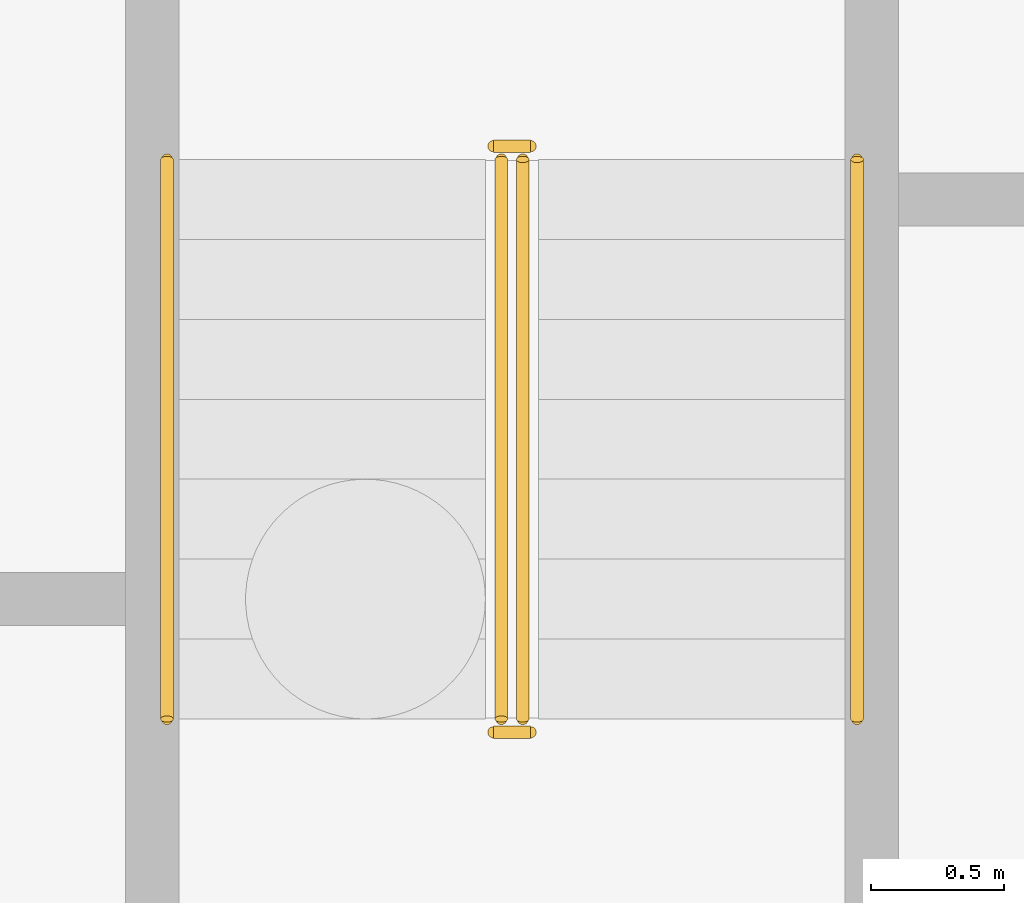
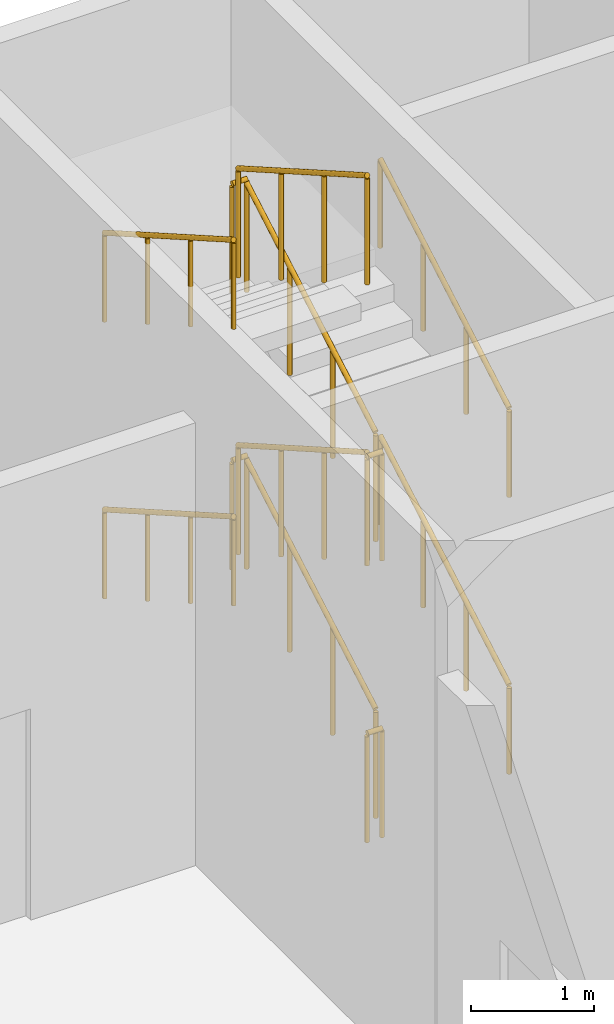
# One storey, part 74 of 82: 12 railings.
"""IFC4 building model written with IfcOpenShell, lengths in metres."""

from ifc_helpers import new_model, si_unit, direction, frame, origin, origin_2d, place, context, subcontext, project, spatial, circle, extrude, material, type_object, element, save


model = new_model("IFC4")

# Units and contexts
model_context = context("Model", 3, precision=1e-05, world=origin(), true_north=direction((0.0, 1.0)))
body_context = subcontext(model_context, "Body", "Model", "MODEL_VIEW")
ifc_project = project(units=[si_unit("LENGTHUNIT", "METRE"), si_unit("AREAUNIT", "SQUARE_METRE"), si_unit("VOLUMEUNIT", "CUBIC_METRE"), si_unit("PLANEANGLEUNIT", "RADIAN"), si_unit("MASSUNIT", "GRAM", prefix="KILO")], contexts=[model_context])

# Site, building, storey
site_placement = place(None, origin())
site = spatial("IfcSite", under=ifc_project, at=site_placement, CompositionType="ELEMENT")
building_placement = place(site_placement, origin())
building = spatial("IfcBuilding", under=site, at=building_placement, Name="Almond Square Museum", CompositionType="ELEMENT")
storey_placement = place(building_placement, origin())
storey = spatial("IfcBuildingStorey", under=building, at=storey_placement, Name="L00", CompositionType="ELEMENT", Elevation=0.0)

# Railings
ifc_material_1 = material(Name="Stainless steel and laminated glass", Category="steel")
railing_type_1 = type_object("IfcRailingType", Name="Stair guard 1100 steel and glass", PredefinedType="GUARDRAIL", material=ifc_material_1)
railing_1_placement = place(storey_placement, frame((125.090087890625, 104.550048828125, 0.171875)))
element("IfcRailing", 1, at=railing_1_placement, inside=storey, type_object=railing_type_1, Name="L00 ST-07 stair guard 1", PredefinedType="GUARDRAIL", context=body_context, shape_type="SweptSolid", body=[
    extrude(circle(Radius=0.02392578125, at=origin_2d()), frame((0.0, 0.0, 1.076171875), z_axis=(0.0, 0.867671429157, 0.497138100556), x_axis=(-1.0, 0.0, 0.0)), (0.0, 0.0, 1.0), 2.420166015625),
    extrude(circle(Radius=0.02099609375, at=origin_2d()), origin(), (0.0, 0.0, 1.0), 1.052001953125),
    extrude(circle(Radius=0.02099609375, at=origin_2d()), frame((0.0, 0.699951171875, 0.401123046875)), (0.0, 0.0, 1.0), 1.052001953125),
    extrude(circle(Radius=0.02099609375, at=origin_2d()), frame((0.0, 1.39990234375, 0.802001953125)), (0.0, 0.0, 1.0), 1.052001953125),
    extrude(circle(Radius=0.02099609375, at=origin_2d()), frame((0.0, 2.099853515625, 1.203125)), (0.0, 0.0, 1.0), 1.052001953125),
])
railing_2_placement = place(storey_placement, frame((125.1201171875, 106.699951171875, 1.375)))
element("IfcRailing", 2, at=railing_2_placement, inside=storey, type_object=railing_type_1, Name="L00 ST-07 stair guard 2", PredefinedType="GUARDRAIL", context=body_context, shape_type="SweptSolid", body=[
    extrude(circle(Radius=0.02392578125, at=origin_2d()), frame((0.0, 0.0, 1.076171875), z_axis=(-1.0, 0.0, 0.0), x_axis=(0.0, -1.0, 0.0)), (0.0, 0.0, 1.0), 0.14013671875),
    extrude(circle(Radius=0.02099609375, at=origin_2d()), origin(), (0.0, 0.0, 1.0), 1.052001953125),
    extrude(circle(Radius=0.02099609375, at=origin_2d()), frame((-0.14013671875, 0.0, 0.0)), (0.0, 0.0, 1.0), 1.052001953125),
])
railing_3_placement = place(storey_placement, frame((125.010009765625, 106.64990234375, 1.546875)))
element("IfcRailing", 3, at=railing_3_placement, inside=storey, type_object=railing_type_1, Name="L00 ST-07 stair guard 3", PredefinedType="GUARDRAIL", context=body_context, shape_type="SweptSolid", body=[
    extrude(circle(Radius=0.02392578125, at=origin_2d()), frame((0.0, 0.0, 1.076171875), z_axis=(0.0, -0.867671429157, 0.497138100556), x_axis=(1.0, 0.0, 0.0)), (0.0, 0.0, 1.0), 2.420166015625),
    extrude(circle(Radius=0.02099609375, at=origin_2d()), origin(), (0.0, 0.0, 1.0), 1.052001953125),
    extrude(circle(Radius=0.02099609375, at=origin_2d()), frame((0.0, -0.699951171875, 0.401123046875)), (0.0, 0.0, 1.0), 1.052001953125),
    extrude(circle(Radius=0.02099609375, at=origin_2d()), frame((0.0, -1.39990234375, 0.802001953125)), (0.0, 0.0, 1.0), 1.052001953125),
    extrude(circle(Radius=0.02099609375, at=origin_2d()), frame((0.0, -2.099853515625, 1.203125)), (0.0, 0.0, 1.0), 1.052001953125),
])
railing_4_placement = place(storey_placement, frame((125.1201171875, 104.5, 2.75)))
element("IfcRailing", 4, at=railing_4_placement, inside=storey, type_object=railing_type_1, Name="L00 ST-07 stair guard 4", PredefinedType="GUARDRAIL", context=body_context, shape_type="SweptSolid", body=[
    extrude(circle(Radius=0.02392578125, at=origin_2d()), frame((0.0, 0.0, 1.076171875), z_axis=(-1.0, 0.0, 0.0), x_axis=(0.0, -1.0, 0.0)), (0.0, 0.0, 1.0), 0.14013671875),
    extrude(circle(Radius=0.02099609375, at=origin_2d()), origin(), (0.0, 0.0, 1.0), 1.052001953125),
    extrude(circle(Radius=0.02099609375, at=origin_2d()), frame((-0.14013671875, 0.0, 0.0)), (0.0, 0.0, 1.0), 1.052001953125),
])
railing_5_placement = place(storey_placement, frame((125.090087890625, 104.550048828125, 2.921875)))
element("IfcRailing", 5, at=railing_5_placement, inside=storey, type_object=railing_type_1, Name="L00 ST-07 stair guard 5", PredefinedType="GUARDRAIL", context=body_context, shape_type="SweptSolid", body=[
    extrude(circle(Radius=0.02392578125, at=origin_2d()), frame((0.0, 0.0, 1.076171875), z_axis=(0.0, 0.867671429157, 0.497138100556), x_axis=(-1.0, 0.0, 0.0)), (0.0, 0.0, 1.0), 2.420166015625),
    extrude(circle(Radius=0.02099609375, at=origin_2d()), origin(), (0.0, 0.0, 1.0), 1.052001953125),
    extrude(circle(Radius=0.02099609375, at=origin_2d()), frame((0.0, 0.699951171875, 0.401123046875)), (0.0, 0.0, 1.0), 1.052001953125),
    extrude(circle(Radius=0.02099609375, at=origin_2d()), frame((0.0, 1.39990234375, 0.802001953125)), (0.0, 0.0, 1.0), 1.052001953125),
    extrude(circle(Radius=0.02099609375, at=origin_2d()), frame((0.0, 2.099853515625, 1.203125)), (0.0, 0.0, 1.0), 1.052001953125),
])
railing_6_placement = place(storey_placement, frame((125.1201171875, 106.699951171875, 4.125)))
element("IfcRailing", 6, at=railing_6_placement, inside=storey, type_object=railing_type_1, Name="L00 ST-07 stair guard 6", PredefinedType="GUARDRAIL", context=body_context, shape_type="SweptSolid", body=[
    extrude(circle(Radius=0.02392578125, at=origin_2d()), frame((0.0, 0.0, 1.076171875), z_axis=(-1.0, 0.0, 0.0), x_axis=(0.0, -1.0, 0.0)), (0.0, 0.0, 1.0), 0.14013671875),
    extrude(circle(Radius=0.02099609375, at=origin_2d()), origin(), (0.0, 0.0, 1.0), 1.052001953125),
    extrude(circle(Radius=0.02099609375, at=origin_2d()), frame((-0.14013671875, 0.0, 0.0)), (0.0, 0.0, 1.0), 1.052001953125),
])
railing_7_placement = place(storey_placement, frame((125.010009765625, 106.64990234375, 4.296875)))
element("IfcRailing", 7, at=railing_7_placement, inside=storey, type_object=railing_type_1, Name="L00 ST-07 stair guard 7", PredefinedType="GUARDRAIL", context=body_context, shape_type="SweptSolid", body=[
    extrude(circle(Radius=0.02392578125, at=origin_2d()), frame((0.0, 0.0, 1.076171875), z_axis=(0.0, -0.867671429157, 0.497138100556), x_axis=(1.0, 0.0, 0.0)), (0.0, 0.0, 1.0), 2.420166015625),
    extrude(circle(Radius=0.02099609375, at=origin_2d()), origin(), (0.0, 0.0, 1.0), 1.052001953125),
    extrude(circle(Radius=0.02099609375, at=origin_2d()), frame((0.0, -0.699951171875, 0.401123046875)), (0.0, 0.0, 1.0), 1.052001953125),
    extrude(circle(Radius=0.02099609375, at=origin_2d()), frame((0.0, -1.39990234375, 0.802001953125)), (0.0, 0.0, 1.0), 1.052001953125),
    extrude(circle(Radius=0.02099609375, at=origin_2d()), frame((0.0, -2.099853515625, 1.203125)), (0.0, 0.0, 1.0), 1.052001953125),
])
railing_8_placement = place(storey_placement, frame((125.1201171875, 104.5, 0.0)))
element("IfcRailing", 8, at=railing_8_placement, inside=storey, type_object=railing_type_1, Name="L00 ST-07 stair guard 8", PredefinedType="GUARDRAIL", context=body_context, shape_type="SweptSolid", body=[
    extrude(circle(Radius=0.02392578125, at=origin_2d()), frame((0.0, 0.0, 1.076171875), z_axis=(-1.0, 0.0, 0.0), x_axis=(0.0, -1.0, 0.0)), (0.0, 0.0, 1.0), 0.14013671875),
    extrude(circle(Radius=0.02099609375, at=origin_2d()), origin(), (0.0, 0.0, 1.0), 1.052001953125),
    extrude(circle(Radius=0.02099609375, at=origin_2d()), frame((-0.14013671875, 0.0, 0.0)), (0.0, 0.0, 1.0), 1.052001953125),
])
ifc_material_2 = material(Name="Stainless steel", Category="steel")
railing_type_2 = type_object("IfcRailingType", Name="Stair handrail 900 steel", PredefinedType="HANDRAIL", material=ifc_material_2)
railing_9_placement = place(storey_placement, frame((126.344970703125, 104.550048828125, 0.171875)))
element("IfcRailing", 9, at=railing_9_placement, inside=storey, type_object=railing_type_2, Name="L00 ST-07 stair handrail 1", PredefinedType="HANDRAIL", context=body_context, shape_type="SweptSolid", body=[
    extrude(circle(Radius=0.02392578125, at=origin_2d()), frame((0.0, 0.0, 0.8759765625), z_axis=(0.0, 0.867671429157, 0.497138100556), x_axis=(-1.0, 0.0, 0.0)), (0.0, 0.0, 1.0), 2.420166015625),
    extrude(circle(Radius=0.02099609375, at=origin_2d()), origin(), (0.0, 0.0, 1.0), 0.851806640625),
    extrude(circle(Radius=0.02099609375, at=origin_2d()), frame((0.0, 0.699951171875, 0.401123046875)), (0.0, 0.0, 1.0), 0.851806640625),
    extrude(circle(Radius=0.02099609375, at=origin_2d()), frame((0.0, 1.39990234375, 0.802001953125)), (0.0, 0.0, 1.0), 0.851806640625),
    extrude(circle(Radius=0.02099609375, at=origin_2d()), frame((0.0, 2.099853515625, 1.203125)), (0.0, 0.0, 1.0), 0.851806640625),
])
railing_10_placement = place(storey_placement, frame((123.7548828125, 106.64990234375, 1.546875)))
element("IfcRailing", 10, at=railing_10_placement, inside=storey, type_object=railing_type_2, Name="L00 ST-07 stair handrail 2", PredefinedType="HANDRAIL", context=body_context, shape_type="SweptSolid", body=[
    extrude(circle(Radius=0.02392578125, at=origin_2d()), frame((0.0, 0.0, 0.8759765625), z_axis=(0.0, -0.867671429157, 0.497138100556), x_axis=(1.0, 0.0, 0.0)), (0.0, 0.0, 1.0), 2.420166015625),
    extrude(circle(Radius=0.02099609375, at=origin_2d()), origin(), (0.0, 0.0, 1.0), 0.851806640625),
    extrude(circle(Radius=0.02099609375, at=origin_2d()), frame((0.0, -0.699951171875, 0.401123046875)), (0.0, 0.0, 1.0), 0.851806640625),
    extrude(circle(Radius=0.02099609375, at=origin_2d()), frame((0.0, -1.39990234375, 0.802001953125)), (0.0, 0.0, 1.0), 0.851806640625),
    extrude(circle(Radius=0.02099609375, at=origin_2d()), frame((0.0, -2.099853515625, 1.203125)), (0.0, 0.0, 1.0), 0.851806640625),
])
railing_11_placement = place(storey_placement, frame((126.344970703125, 104.550048828125, 2.921875)))
element("IfcRailing", 11, at=railing_11_placement, inside=storey, type_object=railing_type_2, Name="L00 ST-07 stair handrail 3", PredefinedType="HANDRAIL", context=body_context, shape_type="SweptSolid", body=[
    extrude(circle(Radius=0.02392578125, at=origin_2d()), frame((0.0, 0.0, 0.8759765625), z_axis=(0.0, 0.867671429157, 0.497138100556), x_axis=(-1.0, 0.0, 0.0)), (0.0, 0.0, 1.0), 2.420166015625),
    extrude(circle(Radius=0.02099609375, at=origin_2d()), origin(), (0.0, 0.0, 1.0), 0.851806640625),
    extrude(circle(Radius=0.02099609375, at=origin_2d()), frame((0.0, 0.699951171875, 0.401123046875)), (0.0, 0.0, 1.0), 0.851806640625),
    extrude(circle(Radius=0.02099609375, at=origin_2d()), frame((0.0, 1.39990234375, 0.802001953125)), (0.0, 0.0, 1.0), 0.851806640625),
    extrude(circle(Radius=0.02099609375, at=origin_2d()), frame((0.0, 2.099853515625, 1.203125)), (0.0, 0.0, 1.0), 0.851806640625),
])
railing_12_placement = place(storey_placement, frame((123.7548828125, 106.64990234375, 4.296875)))
element("IfcRailing", 12, at=railing_12_placement, inside=storey, type_object=railing_type_2, Name="L00 ST-07 stair handrail 4", PredefinedType="HANDRAIL", context=body_context, shape_type="SweptSolid", body=[
    extrude(circle(Radius=0.02392578125, at=origin_2d()), frame((0.0, 0.0, 0.8759765625), z_axis=(0.0, -0.867671429157, 0.497138100556), x_axis=(1.0, 0.0, 0.0)), (0.0, 0.0, 1.0), 2.420166015625),
    extrude(circle(Radius=0.02099609375, at=origin_2d()), origin(), (0.0, 0.0, 1.0), 0.851806640625),
    extrude(circle(Radius=0.02099609375, at=origin_2d()), frame((0.0, -0.699951171875, 0.401123046875)), (0.0, 0.0, 1.0), 0.851806640625),
    extrude(circle(Radius=0.02099609375, at=origin_2d()), frame((0.0, -1.39990234375, 0.802001953125)), (0.0, 0.0, 1.0), 0.851806640625),
    extrude(circle(Radius=0.02099609375, at=origin_2d()), frame((0.0, -2.099853515625, 1.203125)), (0.0, 0.0, 1.0), 0.851806640625),
])

save(model, "model.ifc")
